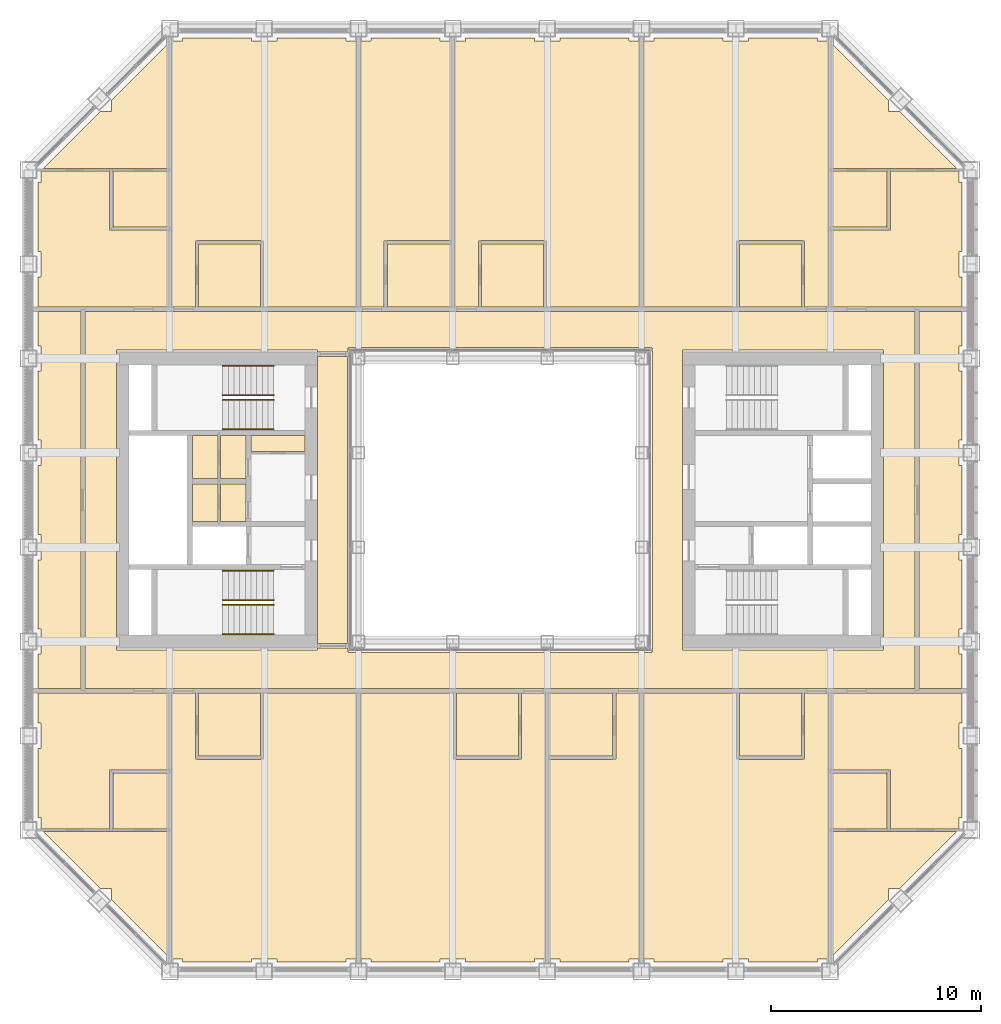
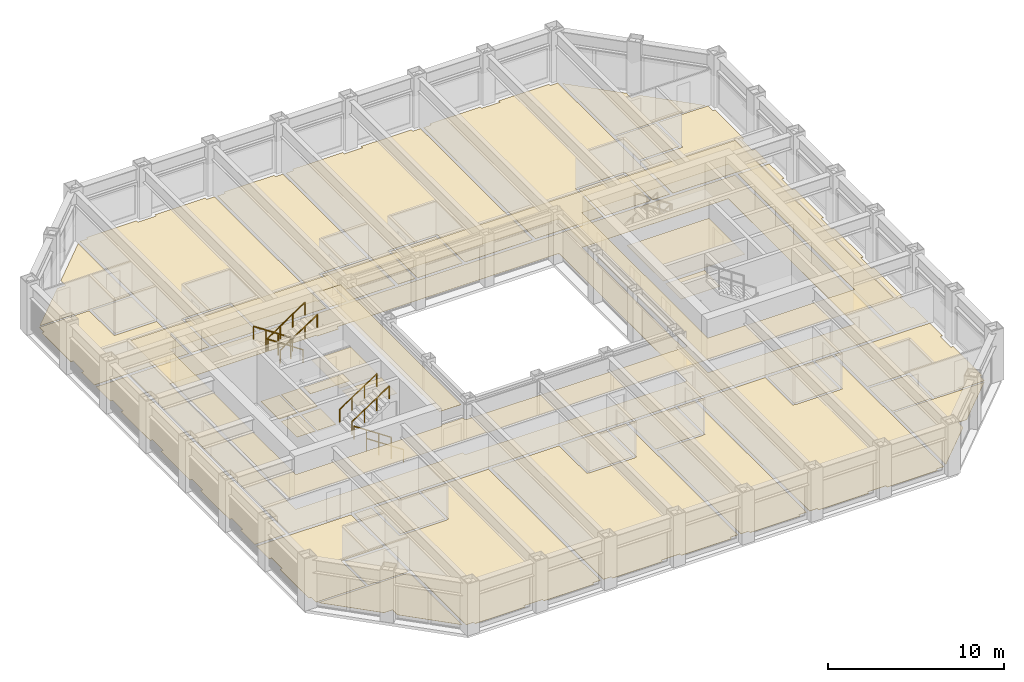
# One storey, part 15 of 17: 8 railings, 6 coverings.
"""IFC4 building model written with IfcOpenShell, lengths in metres."""

from ifc_helpers import new_model, si_unit, direction, frame, origin, origin_2d, place, context, subcontext, project, spatial, line, indexed_curve, circle, outline, extrude, material, layer, layer_set, type_object, element, save


model = new_model("IFC4")

# Units and contexts
model_context = context("Model", 3, precision=1e-05, world=origin(), true_north=direction((0.0, 1.0)))
body_context = subcontext(model_context, "Body", "Model", "MODEL_VIEW")
ifc_project = project(units=[si_unit("LENGTHUNIT", "METRE"), si_unit("AREAUNIT", "SQUARE_METRE"), si_unit("VOLUMEUNIT", "CUBIC_METRE"), si_unit("PLANEANGLEUNIT", "RADIAN"), si_unit("MASSUNIT", "GRAM", prefix="KILO")], contexts=[model_context])

# Site, building, storey
site_placement = place(None, origin())
site = spatial("IfcSite", under=ifc_project, at=site_placement, CompositionType="ELEMENT")
building_placement = place(site_placement, origin())
building = spatial("IfcBuilding", under=site, at=building_placement, Name="Msasa Ring Tower", CompositionType="ELEMENT")
storey_placement = place(building_placement, frame((0.0, 0.0, 168.800048828125)))
storey = spatial("IfcBuildingStorey", under=building, at=storey_placement, Name="L44", CompositionType="ELEMENT", Elevation=168.800048828125)

# Coverings
ifc_material_1 = material(Name="Gypsum plasterboard on a steel suspension grid", Category="steel")
ifc_layer_1 = layer(ifc_material_1, 0.014892578125)
ifc_layer_set_1 = layer_set([ifc_layer_1], Name="C1 SUSPENDED PLASTERBOARD CEILING 15")
covering_type_1 = type_object("IfcCoveringType", Name="C1 SUSPENDED PLASTERBOARD CEILING 15", PredefinedType="CEILING", material=ifc_layer_set_1)
covering_1_placement = place(storey_placement, frame((0.0, 0.0, 2.39990234375)))
element("IfcCovering", 1, at=covering_1_placement, inside=storey, type_object=covering_type_1, Name="Suspended Plasterboard Ceiling 15 circulation L44", PredefinedType="CEILING", context=body_context, shape_type="SweptSolid", body=[
    extrude(outline(indexed_curve([(-19.799560546875, -8.99951171875), (-19.799560546875, 8.99951171875), (19.799560546875, 8.99951171875), (19.799560546875, -8.99951171875)], segments=[line(1, 2, 3, 4, 1)], self_intersect=False), holes=[indexed_curve([(18.300537109375, -7.150390625), (18.300537109375, 7.150390625), (8.699462890625, 7.150390625), (8.699462890625, -7.150390625)], segments=[line(1, 2, 3, 4, 1)], self_intersect=False), indexed_curve([(-8.699462890625, 7.150390625), (-18.300537109375, 7.150390625), (-18.300537109375, -7.150390625), (-8.699462890625, -7.150390625), (-8.699462890625, -7.050537109375), (-7.280029296875, -7.050537109375), (-7.280517578125, -7.23046875), (-7.22998046875, -7.23046875), (-7.22998046875, -7.280029296875), (7.22998046875, -7.280029296875), (7.22998046875, -7.23046875), (7.280517578125, -7.23046875), (7.280517578125, 7.23046875), (7.22998046875, 7.23046875), (7.22998046875, 7.280029296875), (-7.22998046875, 7.280029296875), (-7.22998046875, 7.23046875), (-7.280517578125, 7.23046875), (-7.280029296875, 7.050537109375), (-8.699462890625, 7.050537109375)], segments=[line(1, 2, 3, 4, 5, 6, 7, 8, 9, 10, 11, 12, 13, 14, 15, 16, 17, 18, 19, 20, 1)], self_intersect=False)]), origin(), (0.0, 0.0, 1.0), 0.01513671875),
    extrude(outline(indexed_curve([(-9.300537109375, -3.074462890625), (-11.87451171875, -3.074462890625), (-11.87451171875, -1.275390625), (-9.300537109375, -1.275390625)], segments=[line(1, 2, 3, 4, 1)], self_intersect=False)), origin(), (0.0, 0.0, 1.0), 0.01513671875),
    extrude(outline(indexed_curve([(-11.87451171875, -1.0244140625), (-11.87451171875, 2.194580078125), (-9.300537109375, 2.194580078125), (-9.300537109375, -1.0244140625)], segments=[line(1, 2, 3, 4, 1)], self_intersect=False)), origin(), (0.0, 0.0, 1.0), 0.01513671875),
    extrude(outline(indexed_curve([(11.87451171875, -3.074462890625), (9.300537109375, -3.074462890625), (9.300537109375, -1.275390625), (11.87451171875, -1.275390625)], segments=[line(1, 2, 3, 4, 1)], self_intersect=False)), origin(), (0.0, 0.0, 1.0), 0.01513671875),
    extrude(outline(indexed_curve([(9.300537109375, -1.0244140625), (9.300537109375, 3.074462890625), (14.674560546875, 3.074462890625), (14.674560546875, -1.0244140625)], segments=[line(1, 2, 3, 4, 1)], self_intersect=False)), origin(), (0.0, 0.0, 1.0), 0.01513671875),
])
covering_2_placement = place(storey_placement, frame((0.0, 0.0, 3.199951171875)))
element("IfcCovering", 2, at=covering_2_placement, inside=storey, type_object=covering_type_1, Name="Suspended Plasterboard Ceiling 15 public rooms L44", PredefinedType="CEILING", context=body_context, shape_type="SweptSolid", body=[
    extrude(outline(indexed_curve([(-8.699462890625, 6.849609375), (-7.280029296875, 6.849609375), (-7.280029296875, -6.849609375), (-8.699462890625, -6.849609375)], segments=[line(1, 2, 3, 4, 1)], self_intersect=False)), origin(), (0.0, 0.0, 1.0), 0.014892578125),
])
ifc_material_2 = material(Name="Wool-blend carpet on felt underlay", Category="textile")
ifc_layer_2 = layer(ifc_material_2, 0.011962890625)
ifc_layer_set_2 = layer_set([ifc_layer_2], Name="F2 CARPET ON UNDERLAY 12")
covering_type_2 = type_object("IfcCoveringType", Name="F2 CARPET ON UNDERLAY 12", PredefinedType="FLOORING", material=ifc_layer_set_2)
covering_3_placement = place(storey_placement, origin())
element("IfcCovering", 3, at=covering_3_placement, inside=storey, type_object=covering_type_2, Name="Carpet On Underlay 12 L44", PredefinedType="FLOORING", context=body_context, shape_type="SweptSolid", body=[
    extrude(outline(indexed_curve([(-22.049560546875, -11.8505859375), (-21.8994140625, -11.8505859375), (-21.8994140625, -10.6494140625), (-22.049560546875, -10.6494140625), (-22.049560546875, -9.200439453125), (-15.8505859375, -9.200439453125), (-15.8505859375, -12.869384765625), (-18.630615234375, -12.869384765625), (-18.630615234375, -15.694580078125), (-21.8994140625, -15.694580078125), (-21.8994140625, -15.1494140625), (-22.049560546875, -15.1494140625)], segments=[line(1, 2, 3, 4, 5, 6, 7, 8, 9, 10, 11, 12, 1)], self_intersect=False)), origin(), (0.0, 0.0, 1.0), 0.011962890625),
    extrude(outline(indexed_curve([(-15.8505859375, 9.200439453125), (-22.049560546875, 9.200439453125), (-22.049560546875, 10.6494140625), (-21.8994140625, 10.6494140625), (-21.8994140625, 11.8505859375), (-22.049560546875, 11.8505859375), (-22.049560546875, 15.1494140625), (-21.8994140625, 15.1494140625), (-21.8994140625, 15.694580078125), (-18.630615234375, 15.694580078125), (-18.630615234375, 12.869384765625), (-15.8505859375, 12.869384765625)], segments=[line(1, 2, 3, 4, 5, 6, 7, 8, 9, 10, 11, 12, 1)], self_intersect=False)), origin(), (0.0, 0.0, 1.0), 0.011962890625),
    extrude(outline(indexed_curve([(-15.8505859375, -15.805419921875), (-15.8505859375, -21.762451171875), (-18.5244140625, -19.08837890625), (-18.5244140625, -18.5244140625), (-19.08837890625, -18.5244140625), (-21.807373046875, -15.805419921875)], segments=[line(1, 2, 3, 4, 5, 6, 1)], self_intersect=False)), origin(), (0.0, 0.0, 1.0), 0.011962890625),
    extrude(outline(indexed_curve([(-15.8505859375, 15.805419921875), (-21.807373046875, 15.805419921875), (-19.08837890625, 18.5244140625), (-18.5244140625, 18.5244140625), (-18.5244140625, 19.08837890625), (-15.8505859375, 21.762451171875)], segments=[line(1, 2, 3, 4, 5, 6, 1)], self_intersect=False)), origin(), (0.0, 0.0, 1.0), 0.011962890625),
    extrude(outline(indexed_curve([(-19.799560546875, -8.99951171875), (-19.799560546875, 8.99951171875), (19.799560546875, 8.99951171875), (19.799560546875, -8.99951171875)], segments=[line(1, 2, 3, 4, 1)], self_intersect=False), holes=[indexed_curve([(8.699462890625, -7.150390625), (18.300537109375, -7.150390625), (18.300537109375, 7.150390625), (8.699462890625, 7.150390625)], segments=[line(1, 2, 3, 4, 1)], self_intersect=False), indexed_curve([(-8.699462890625, 7.150390625), (-18.300537109375, 7.150390625), (-18.300537109375, -7.150390625), (-8.699462890625, -7.150390625), (-8.699462890625, -7.050537109375), (-7.280029296875, -7.050537109375), (-7.280517578125, -7.23046875), (-7.22998046875, -7.23046875), (-7.22998046875, -7.280029296875), (7.22998046875, -7.280029296875), (7.22998046875, -7.23046875), (7.280517578125, -7.23046875), (7.280517578125, 7.23046875), (7.22998046875, 7.23046875), (7.22998046875, 7.280029296875), (-7.22998046875, 7.280029296875), (-7.22998046875, 7.23046875), (-7.280517578125, 7.23046875), (-7.280029296875, 7.050537109375), (-8.699462890625, 7.050537109375)], segments=[line(1, 2, 3, 4, 5, 6, 7, 8, 9, 10, 11, 12, 13, 14, 15, 16, 17, 18, 19, 20, 1)], self_intersect=False)]), origin(), (0.0, 0.0, 1.0), 0.011962890625),
    extrude(outline(indexed_curve([(-13.45556640625, -1.0244140625), (-14.674560546875, -1.0244140625), (-14.674560546875, 0.7744140625), (-13.45556640625, 0.7744140625)], segments=[line(1, 2, 3, 4, 1)], self_intersect=False)), origin(), (0.0, 0.0, 1.0), 0.011962890625),
    extrude(outline(indexed_curve([(-13.45556640625, 3.074462890625), (-13.45556640625, 1.025390625), (-14.674560546875, 1.025390625), (-14.674560546875, 3.074462890625)], segments=[line(1, 2, 3, 4, 1)], self_intersect=False)), origin(), (0.0, 0.0, 1.0), 0.011962890625),
    extrude(outline(indexed_curve([(-12.12548828125, -1.0244140625), (-13.344482421875, -1.0244140625), (-13.344482421875, 0.7744140625), (-12.12548828125, 0.7744140625)], segments=[line(1, 2, 3, 4, 1)], self_intersect=False)), origin(), (0.0, 0.0, 1.0), 0.011962890625),
    extrude(outline(indexed_curve([(-12.12548828125, 3.074462890625), (-12.12548828125, 1.025390625), (-13.344482421875, 1.025390625), (-13.344482421875, 3.074462890625)], segments=[line(1, 2, 3, 4, 1)], self_intersect=False)), origin(), (0.0, 0.0, 1.0), 0.011962890625),
    extrude(outline(indexed_curve([(-9.300537109375, 3.074462890625), (-9.300537109375, 2.305419921875), (-11.87451171875, 2.305419921875), (-11.87451171875, 3.074462890625)], segments=[line(1, 2, 3, 4, 1)], self_intersect=False)), origin(), (0.0, 0.0, 1.0), 0.011962890625),
    extrude(outline(indexed_curve([(-6.6494140625, 21.8994140625), (-6.1494140625, 21.8994140625), (-6.1494140625, 22.049560546875), (-2.8505859375, 22.049560546875), (-2.8505859375, 21.8994140625), (-2.3505859375, 21.8994140625), (-2.3505859375, 12.37548828125), (-5.39990234375, 12.37548828125), (-5.39990234375, 12.3505859375), (-5.525390625, 12.35009765625), (-5.525390625, 9.200439453125), (-6.6494140625, 9.200439453125)], segments=[line(1, 2, 3, 4, 5, 6, 7, 8, 9, 10, 11, 12, 1)], self_intersect=False)), origin(), (0.0, 0.0, 1.0), 0.011962890625),
    extrude(outline(indexed_curve([(6.6494140625, -21.8994140625), (6.1494140625, -21.8994140625), (6.1494140625, -22.049560546875), (2.8505859375, -22.049560546875), (2.8505859375, -21.8994140625), (2.3505859375, -21.8994140625), (2.3505859375, -12.37548828125), (5.39990234375, -12.37548828125), (5.39990234375, -12.3505859375), (5.525390625, -12.35009765625), (5.525390625, -9.200439453125), (6.6494140625, -9.200439453125)], segments=[line(1, 2, 3, 4, 5, 6, 7, 8, 9, 10, 11, 12, 1)], self_intersect=False)), origin(), (0.0, 0.0, 1.0), 0.011962890625),
    extrude(outline(indexed_curve([(15.8505859375, -15.805419921875), (21.807373046875, -15.805419921875), (19.08837890625, -18.5244140625), (18.5244140625, -18.5244140625), (18.5244140625, -19.08837890625), (15.8505859375, -21.762451171875)], segments=[line(1, 2, 3, 4, 5, 6, 1)], self_intersect=False)), origin(), (0.0, 0.0, 1.0), 0.011962890625),
    extrude(outline(indexed_curve([(15.8505859375, -9.200439453125), (22.049560546875, -9.200439453125), (22.049560546875, -10.6494140625), (21.8994140625, -10.6494140625), (21.8994140625, -11.8505859375), (22.049560546875, -11.8505859375), (22.049560546875, -15.1494140625), (21.8994140625, -15.1494140625), (21.8994140625, -15.694580078125), (18.630615234375, -15.694580078125), (18.630615234375, -12.869384765625), (15.8505859375, -12.869384765625)], segments=[line(1, 2, 3, 4, 5, 6, 7, 8, 9, 10, 11, 12, 1)], self_intersect=False)), origin(), (0.0, 0.0, 1.0), 0.011962890625),
    extrude(outline(indexed_curve([(22.049560546875, 11.8505859375), (21.8994140625, 11.8505859375), (21.8994140625, 10.6494140625), (22.049560546875, 10.6494140625), (22.049560546875, 9.200439453125), (15.8505859375, 9.200439453125), (15.8505859375, 12.869384765625), (18.630615234375, 12.869384765625), (18.630615234375, 15.694580078125), (21.8994140625, 15.694580078125), (21.8994140625, 15.1494140625), (22.049560546875, 15.1494140625)], segments=[line(1, 2, 3, 4, 5, 6, 7, 8, 9, 10, 11, 12, 1)], self_intersect=False)), origin(), (0.0, 0.0, 1.0), 0.011962890625),
    extrude(outline(indexed_curve([(15.8505859375, 15.805419921875), (15.8505859375, 21.762451171875), (18.5244140625, 19.08837890625), (18.5244140625, 18.5244140625), (19.08837890625, 18.5244140625), (21.807373046875, 15.805419921875)], segments=[line(1, 2, 3, 4, 5, 6, 1)], self_intersect=False)), origin(), (0.0, 0.0, 1.0), 0.011962890625),
])
ifc_material_3 = material(Name="Engineered oak boards on an acoustic underlay", Category="wood")
ifc_layer_3 = layer(ifc_material_3, 0.01806640625)
ifc_layer_set_3 = layer_set([ifc_layer_3], Name="F3 ENGINEERED TIMBER ON ACOUSTIC UNDERLAY 18")
covering_type_3 = type_object("IfcCoveringType", Name="F3 ENGINEERED TIMBER ON ACOUSTIC UNDERLAY 18", PredefinedType="FLOORING", material=ifc_layer_set_3)
covering_4_placement = place(storey_placement, origin())
element("IfcCovering", 4, at=covering_4_placement, inside=storey, type_object=covering_type_3, Name="Engineered Timber On Acoustic Underlay 18 L44", PredefinedType="FLOORING", context=body_context, shape_type="SweptSolid", body=[
    extrude(outline(indexed_curve([(-14.525390625, -9.200439453125), (-14.525390625, -12.35009765625), (-14.39990234375, -12.3505859375), (-14.39990234375, -12.37548828125), (-11.39990234375, -12.37548828125), (-11.39990234375, -12.3505859375), (-11.2744140625, -12.35009765625), (-11.2744140625, -9.200439453125), (-6.8505859375, -9.200439453125), (-6.8505859375, -21.8994140625), (-7.3505859375, -21.8994140625), (-7.3505859375, -22.049560546875), (-10.6494140625, -22.049560546875), (-10.6494140625, -21.8994140625), (-11.8505859375, -21.8994140625), (-11.8505859375, -22.049560546875), (-15.1494140625, -22.049560546875), (-15.1494140625, -21.8994140625), (-15.6494140625, -21.8994140625), (-15.6494140625, -9.200439453125)], segments=[line(1, 2, 3, 4, 5, 6, 7, 8, 9, 10, 11, 12, 13, 14, 15, 16, 17, 18, 19, 20, 1)], self_intersect=False)), origin(), (0.0, 0.0, 1.0), 0.01806640625),
    extrude(outline(indexed_curve([(-11.2744140625, 9.200439453125), (-11.2744140625, 12.35009765625), (-11.39990234375, 12.3505859375), (-11.39990234375, 12.37548828125), (-14.39990234375, 12.37548828125), (-14.39990234375, 12.3505859375), (-14.525390625, 12.35009765625), (-14.525390625, 9.200439453125), (-15.6494140625, 9.200439453125), (-15.6494140625, 21.8994140625), (-15.1494140625, 21.8994140625), (-15.1494140625, 22.049560546875), (-11.8505859375, 22.049560546875), (-11.8505859375, 21.8994140625), (-10.6494140625, 21.8994140625), (-10.6494140625, 22.049560546875), (-7.3505859375, 22.049560546875), (-7.3505859375, 21.8994140625), (-6.8505859375, 21.8994140625), (-6.8505859375, 9.200439453125)], segments=[line(1, 2, 3, 4, 5, 6, 7, 8, 9, 10, 11, 12, 13, 14, 15, 16, 17, 18, 19, 20, 1)], self_intersect=False)), origin(), (0.0, 0.0, 1.0), 0.01806640625),
    extrude(outline(indexed_curve([(-2.10009765625, -12.3505859375), (-2.10009765625, -12.37548828125), (0.89990234375, -12.37548828125), (0.89990234375, -12.3505859375), (1.025390625, -12.35009765625), (1.025390625, -9.200439453125), (2.1494140625, -9.200439453125), (2.1494140625, -21.8994140625), (1.6494140625, -21.8994140625), (1.6494140625, -22.049560546875), (-1.6494140625, -22.049560546875), (-1.6494140625, -21.8994140625), (-2.8505859375, -21.8994140625), (-2.8505859375, -22.049560546875), (-6.1494140625, -22.049560546875), (-6.1494140625, -21.8994140625), (-6.6494140625, -21.8994140625), (-6.6494140625, -9.200439453125), (-2.2255859375, -9.200439453125), (-2.2255859375, -12.35009765625)], segments=[line(1, 2, 3, 4, 5, 6, 7, 8, 9, 10, 11, 12, 13, 14, 15, 16, 17, 18, 19, 20, 1)], self_intersect=False)), origin(), (0.0, 0.0, 1.0), 0.01806640625),
    extrude(outline(indexed_curve([(2.10009765625, 12.3505859375), (2.10009765625, 12.37548828125), (-0.89990234375, 12.37548828125), (-0.89990234375, 12.3505859375), (-1.025390625, 12.35009765625), (-1.025390625, 9.200439453125), (-2.1494140625, 9.200439453125), (-2.1494140625, 21.8994140625), (-1.6494140625, 21.8994140625), (-1.6494140625, 22.049560546875), (1.6494140625, 22.049560546875), (1.6494140625, 21.8994140625), (2.8505859375, 21.8994140625), (2.8505859375, 22.049560546875), (6.1494140625, 22.049560546875), (6.1494140625, 21.8994140625), (6.6494140625, 21.8994140625), (6.6494140625, 9.200439453125), (2.2255859375, 9.200439453125), (2.2255859375, 12.35009765625)], segments=[line(1, 2, 3, 4, 5, 6, 7, 8, 9, 10, 11, 12, 13, 14, 15, 16, 17, 18, 19, 20, 1)], self_intersect=False)), origin(), (0.0, 0.0, 1.0), 0.01806640625),
    extrude(outline(indexed_curve([(11.2744140625, -12.35009765625), (11.39990234375, -12.3505859375), (11.39990234375, -12.37548828125), (14.39990234375, -12.37548828125), (14.39990234375, -12.3505859375), (14.525390625, -12.35009765625), (14.525390625, -9.200439453125), (15.6494140625, -9.200439453125), (15.6494140625, -21.8994140625), (15.1494140625, -21.8994140625), (15.1494140625, -22.049560546875), (11.8505859375, -22.049560546875), (11.8505859375, -21.8994140625), (10.6494140625, -21.8994140625), (10.6494140625, -22.049560546875), (7.3505859375, -22.049560546875), (7.3505859375, -21.8994140625), (6.8505859375, -21.8994140625), (6.8505859375, -9.200439453125), (11.2744140625, -9.200439453125)], segments=[line(1, 2, 3, 4, 5, 6, 7, 8, 9, 10, 11, 12, 13, 14, 15, 16, 17, 18, 19, 20, 1)], self_intersect=False)), origin(), (0.0, 0.0, 1.0), 0.01806640625),
    extrude(outline(indexed_curve([(14.525390625, 12.35009765625), (14.39990234375, 12.3505859375), (14.39990234375, 12.37548828125), (11.39990234375, 12.37548828125), (11.39990234375, 12.3505859375), (11.2744140625, 12.35009765625), (11.2744140625, 9.200439453125), (6.8505859375, 9.200439453125), (6.8505859375, 21.8994140625), (7.3505859375, 21.8994140625), (7.3505859375, 22.049560546875), (10.6494140625, 22.049560546875), (10.6494140625, 21.8994140625), (11.8505859375, 21.8994140625), (11.8505859375, 22.049560546875), (15.1494140625, 22.049560546875), (15.1494140625, 21.8994140625), (15.6494140625, 21.8994140625), (15.6494140625, 9.200439453125), (14.525390625, 9.200439453125)], segments=[line(1, 2, 3, 4, 5, 6, 7, 8, 9, 10, 11, 12, 13, 14, 15, 16, 17, 18, 19, 20, 1)], self_intersect=False)), origin(), (0.0, 0.0, 1.0), 0.01806640625),
])
ifc_material_4 = material(Name="Porcelain floor tiles in adhesive", Category="ceramic")
ifc_layer_4 = layer(ifc_material_4, 0.010009765625)
ifc_layer_set_4 = layer_set([ifc_layer_4], Name="F4 PORCELAIN TILE ON ADHESIVE 10")
covering_type_4 = type_object("IfcCoveringType", Name="F4 PORCELAIN TILE ON ADHESIVE 10", PredefinedType="FLOORING", material=ifc_layer_set_4)
covering_5_placement = place(storey_placement, origin())
element("IfcCovering", 5, at=covering_5_placement, inside=storey, type_object=covering_type_4, Name="Porcelain Tile On Adhesive 10 L44", PredefinedType="FLOORING", context=body_context, shape_type="SweptSolid", body=[
    extrude(outline(indexed_curve([(-18.469482421875, -13.030517578125), (-15.8505859375, -13.030517578125), (-15.8505859375, -15.694580078125), (-18.469482421875, -15.694580078125)], segments=[line(1, 2, 3, 4, 1)], self_intersect=False)), origin(), (0.0, 0.0, 1.0), 0.010009765625),
    extrude(outline(indexed_curve([(-15.8505859375, 15.694580078125), (-15.8505859375, 13.030517578125), (-18.469482421875, 13.030517578125), (-18.469482421875, 15.694580078125)], segments=[line(1, 2, 3, 4, 1)], self_intersect=False)), origin(), (0.0, 0.0, 1.0), 0.010009765625),
    extrude(outline(indexed_curve([(-11.425537109375, -9.200439453125), (-11.425537109375, -12.224609375), (-14.37451171875, -12.224609375), (-14.37451171875, -9.200439453125)], segments=[line(1, 2, 3, 4, 1)], self_intersect=False)), origin(), (0.0, 0.0, 1.0), 0.010009765625),
    extrude(outline(indexed_curve([(-14.37451171875, 9.200439453125), (-14.37451171875, 12.224609375), (-11.425537109375, 12.224609375), (-11.425537109375, 9.200439453125)], segments=[line(1, 2, 3, 4, 1)], self_intersect=False)), origin(), (0.0, 0.0, 1.0), 0.010009765625),
    extrude(outline(indexed_curve([(-2.3505859375, 9.200439453125), (-5.37451171875, 9.200439453125), (-5.37451171875, 12.224609375), (-2.3505859375, 12.224609375)], segments=[line(1, 2, 3, 4, 1)], self_intersect=False)), origin(), (0.0, 0.0, 1.0), 0.010009765625),
    extrude(outline(indexed_curve([(0.87451171875, -9.200439453125), (0.87451171875, -12.224609375), (-2.074462890625, -12.224609375), (-2.074462890625, -9.200439453125)], segments=[line(1, 2, 3, 4, 1)], self_intersect=False)), origin(), (0.0, 0.0, 1.0), 0.010009765625),
    extrude(outline(indexed_curve([(-0.87451171875, 9.200439453125), (-0.87451171875, 12.224609375), (2.074462890625, 12.224609375), (2.074462890625, 9.200439453125)], segments=[line(1, 2, 3, 4, 1)], self_intersect=False)), origin(), (0.0, 0.0, 1.0), 0.010009765625),
    extrude(outline(indexed_curve([(5.37451171875, -9.200439453125), (5.37451171875, -12.224609375), (2.3505859375, -12.224609375), (2.3505859375, -9.200439453125)], segments=[line(1, 2, 3, 4, 1)], self_intersect=False)), origin(), (0.0, 0.0, 1.0), 0.010009765625),
    extrude(outline(indexed_curve([(14.37451171875, -9.200439453125), (14.37451171875, -12.224609375), (11.425537109375, -12.224609375), (11.425537109375, -9.200439453125)], segments=[line(1, 2, 3, 4, 1)], self_intersect=False)), origin(), (0.0, 0.0, 1.0), 0.010009765625),
    extrude(outline(indexed_curve([(11.425537109375, 9.200439453125), (11.425537109375, 12.224609375), (14.37451171875, 12.224609375), (14.37451171875, 9.200439453125)], segments=[line(1, 2, 3, 4, 1)], self_intersect=False)), origin(), (0.0, 0.0, 1.0), 0.010009765625),
    extrude(outline(indexed_curve([(15.8505859375, -13.030517578125), (18.469482421875, -13.030517578125), (18.469482421875, -15.694580078125), (15.8505859375, -15.694580078125)], segments=[line(1, 2, 3, 4, 1)], self_intersect=False)), origin(), (0.0, 0.0, 1.0), 0.010009765625),
    extrude(outline(indexed_curve([(18.469482421875, 15.694580078125), (18.469482421875, 13.030517578125), (15.8505859375, 13.030517578125), (15.8505859375, 15.694580078125)], segments=[line(1, 2, 3, 4, 1)], self_intersect=False)), origin(), (0.0, 0.0, 1.0), 0.010009765625),
])
ifc_material_5 = material(Name="Welded vinyl safety sheet flooring", Category="vinyl")
ifc_layer_5 = layer(ifc_material_5, 0.0029296875)
ifc_layer_set_5 = layer_set([ifc_layer_5], Name="F5 RESILIENT SHEET FLOORING 3")
covering_type_5 = type_object("IfcCoveringType", Name="F5 RESILIENT SHEET FLOORING 3", PredefinedType="FLOORING", material=ifc_layer_set_5)
covering_6_placement = place(storey_placement, origin())
element("IfcCovering", 6, at=covering_6_placement, inside=storey, type_object=covering_type_5, Name="Resilient Sheet Flooring 3 L44", PredefinedType="FLOORING", context=body_context, shape_type="SweptSolid", body=[
    extrude(outline(indexed_curve([(-22.049560546875, -7.3505859375), (-21.8994140625, -7.3505859375), (-21.8994140625, -6.1494140625), (-22.049560546875, -6.1494140625), (-22.049560546875, -2.8505859375), (-21.8994140625, -2.8505859375), (-21.8994140625, -1.6494140625), (-22.049560546875, -1.6494140625), (-22.049560546875, 1.6494140625), (-21.8994140625, 1.6494140625), (-21.8994140625, 2.8505859375), (-22.049560546875, 2.8505859375), (-22.049560546875, 6.1494140625), (-21.8994140625, 6.1494140625), (-21.8994140625, 7.3505859375), (-22.049560546875, 7.3505859375), (-22.049560546875, 8.99951171875), (-20.00048828125, 8.99951171875), (-20.00048828125, -8.99951171875), (-22.049560546875, -8.99951171875)], segments=[line(1, 2, 3, 4, 5, 6, 7, 8, 9, 10, 11, 12, 13, 14, 15, 16, 17, 18, 19, 20, 1)], self_intersect=False)), origin(), (0.0, 0.0, 1.0), 0.0029296875),
    extrude(outline(indexed_curve([(22.049560546875, 8.99951171875), (22.049560546875, 7.3505859375), (21.8994140625, 7.3505859375), (21.8994140625, 6.1494140625), (22.049560546875, 6.1494140625), (22.049560546875, 2.8505859375), (21.8994140625, 2.8505859375), (21.8994140625, 1.6494140625), (22.049560546875, 1.6494140625), (22.049560546875, -1.6494140625), (21.8994140625, -1.6494140625), (21.8994140625, -2.8505859375), (22.049560546875, -2.8505859375), (22.049560546875, -6.1494140625), (21.8994140625, -6.1494140625), (21.8994140625, -7.3505859375), (22.049560546875, -7.3505859375), (22.049560546875, -8.99951171875), (20.00048828125, -8.99951171875), (20.00048828125, 8.99951171875)], segments=[line(1, 2, 3, 4, 5, 6, 7, 8, 9, 10, 11, 12, 13, 14, 15, 16, 17, 18, 19, 20, 1)], self_intersect=False)), origin(), (0.0, 0.0, 1.0), 0.0029296875),
])

# Railings
ifc_material_6 = material(Name="Stainless steel", Category="steel")
railing_type = type_object("IfcRailingType", Name="HR1 HANDRAIL 900", PredefinedType="HANDRAIL", material=ifc_material_6)
for number, where, name in (
    (7, (-10.800048828125, -6.39990234375, 0.179931640625), "Handrail stair SWA L44 1"),
    (8, (-10.800048828125, -5.0, 0.179931640625), "Handrail stair SWA L44 2"),
):
    element("IfcRailing", number, at=place(storey_placement, frame(where)), inside=storey, type_object=railing_type, Name=name, PredefinedType="HANDRAIL", context=body_context, shape_type="SweptSolid", body=[
        extrude(circle(Radius=0.02392578125, at=origin_2d()), frame((0.0, 0.0, 0.8759765625), z_axis=(-0.832024571796, 0.0, 0.554738778101), x_axis=(0.0, -1.0, 0.0)), (0.0, 0.0, 1.0), 2.92041015625),
        extrude(circle(Radius=0.02099609375, at=origin_2d()), origin(), (0.0, 0.0, 1.0), 0.851806640625),
        extrude(circle(Radius=0.02099609375, at=origin_2d()), frame((-0.81005859375, 0.0, 0.5400390625)), (0.0, 0.0, 1.0), 0.851806640625),
        extrude(circle(Radius=0.02099609375, at=origin_2d()), frame((-1.619873046875, 0.0, 1.080078125)), (0.0, 0.0, 1.0), 0.851806640625),
        extrude(circle(Radius=0.02099609375, at=origin_2d()), frame((-2.429931640625, 0.0, 1.6201171875)), (0.0, 0.0, 1.0), 0.851806640625),
    ])
for number, where, name in (
    (9, (-13.22998046875, -4.77490234375, 1.97998046875), "Handrail stair SWA L44 3"),
    (10, (-13.22998046875, -3.375, 1.97998046875), "Handrail stair SWA L44 4"),
):
    element("IfcRailing", number, at=place(storey_placement, frame(where)), inside=storey, type_object=railing_type, Name=name, PredefinedType="HANDRAIL", context=body_context, shape_type="SweptSolid", body=[
        extrude(circle(Radius=0.02392578125, at=origin_2d()), frame((0.0, 0.0, 0.8759765625), z_axis=(0.832063155534, 0.0, 0.554680903946), x_axis=(0.0, 1.0, 0.0)), (0.0, 0.0, 1.0), 2.92041015625),
        extrude(circle(Radius=0.02099609375, at=origin_2d()), origin(), (0.0, 0.0, 1.0), 0.851806640625),
        extrude(circle(Radius=0.02099609375, at=origin_2d()), frame((0.81005859375, 0.0, 0.5400390625)), (0.0, 0.0, 1.0), 0.851806640625),
        extrude(circle(Radius=0.02099609375, at=origin_2d()), frame((1.619873046875, 0.0, 1.079833984375)), (0.0, 0.0, 1.0), 0.851806640625),
        extrude(circle(Radius=0.02099609375, at=origin_2d()), frame((2.429931640625, 0.0, 1.619873046875)), (0.0, 0.0, 1.0), 0.851806640625),
    ])
for number, where, name in (
    (11, (-10.800048828125, 5.0, 0.179931640625), "Handrail stair SWB L44 1"),
    (12, (-10.800048828125, 6.39990234375, 0.179931640625), "Handrail stair SWB L44 2"),
):
    element("IfcRailing", number, at=place(storey_placement, frame(where)), inside=storey, type_object=railing_type, Name=name, PredefinedType="HANDRAIL", context=body_context, shape_type="SweptSolid", body=[
        extrude(circle(Radius=0.02392578125, at=origin_2d()), frame((0.0, 0.0, 0.8759765625), z_axis=(-0.832024571796, 0.0, 0.554738778101), x_axis=(0.0, -1.0, 0.0)), (0.0, 0.0, 1.0), 2.92041015625),
        extrude(circle(Radius=0.02099609375, at=origin_2d()), origin(), (0.0, 0.0, 1.0), 0.851806640625),
        extrude(circle(Radius=0.02099609375, at=origin_2d()), frame((-0.81005859375, 0.0, 0.5400390625)), (0.0, 0.0, 1.0), 0.851806640625),
        extrude(circle(Radius=0.02099609375, at=origin_2d()), frame((-1.619873046875, 0.0, 1.080078125)), (0.0, 0.0, 1.0), 0.851806640625),
        extrude(circle(Radius=0.02099609375, at=origin_2d()), frame((-2.429931640625, 0.0, 1.6201171875)), (0.0, 0.0, 1.0), 0.851806640625),
    ])
for number, where, name in (
    (13, (-13.22998046875, 3.375, 1.97998046875), "Handrail stair SWB L44 3"),
    (14, (-13.22998046875, 4.77490234375, 1.97998046875), "Handrail stair SWB L44 4"),
):
    element("IfcRailing", number, at=place(storey_placement, frame(where)), inside=storey, type_object=railing_type, Name=name, PredefinedType="HANDRAIL", context=body_context, shape_type="SweptSolid", body=[
        extrude(circle(Radius=0.02392578125, at=origin_2d()), frame((0.0, 0.0, 0.8759765625), z_axis=(0.832063155534, 0.0, 0.554680903946), x_axis=(0.0, 1.0, 0.0)), (0.0, 0.0, 1.0), 2.92041015625),
        extrude(circle(Radius=0.02099609375, at=origin_2d()), origin(), (0.0, 0.0, 1.0), 0.851806640625),
        extrude(circle(Radius=0.02099609375, at=origin_2d()), frame((0.81005859375, 0.0, 0.5400390625)), (0.0, 0.0, 1.0), 0.851806640625),
        extrude(circle(Radius=0.02099609375, at=origin_2d()), frame((1.619873046875, 0.0, 1.079833984375)), (0.0, 0.0, 1.0), 0.851806640625),
        extrude(circle(Radius=0.02099609375, at=origin_2d()), frame((2.429931640625, 0.0, 1.619873046875)), (0.0, 0.0, 1.0), 0.851806640625),
    ])

save(model, "model.ifc")
